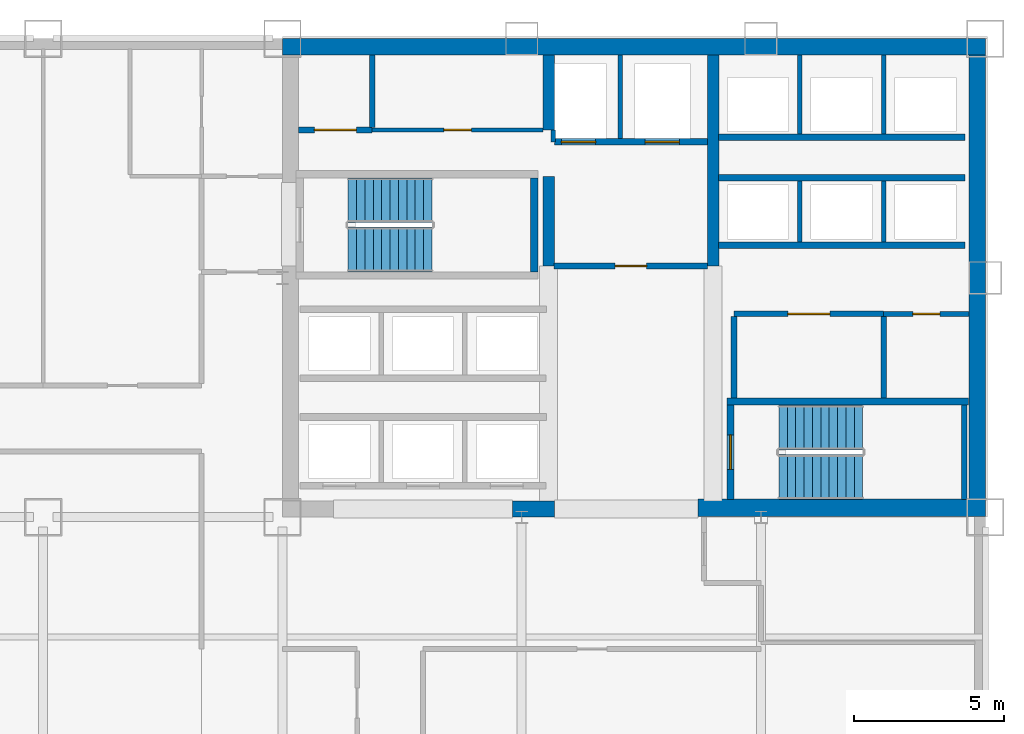
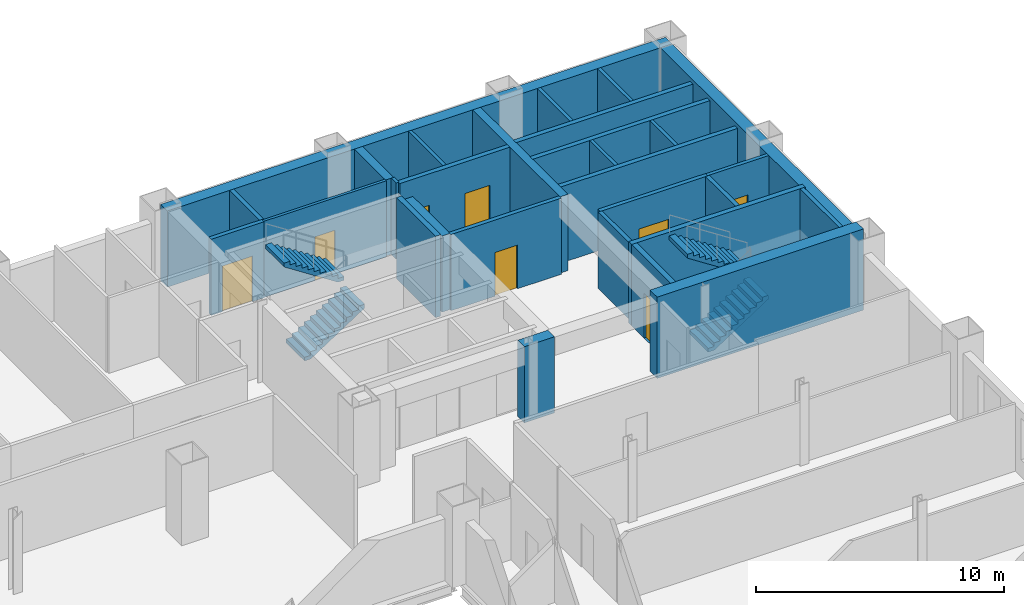
# One storey, part 7 of 9: 29 walls, 8 doors, 4 stair flights, 8 openings, 2 elements without a shape of their own.
"""IFC4 building model written with IfcOpenShell, lengths in metres."""

from ifc_helpers import new_model, si_unit, direction, frame, frame_2d, origin, place, context, subcontext, project, spatial, polyline, rectangle, outline, extrude, material, layer, layer_set, type_object, element, fill, aggregate, save


model = new_model("IFC4")

# Units and contexts
model_context = context("Model", 3, precision=1e-05, world=origin(), true_north=direction((0.0, 1.0)))
body_context = subcontext(model_context, "Body", "Model", "MODEL_VIEW")
ifc_project = project(units=[si_unit("LENGTHUNIT", "METRE"), si_unit("AREAUNIT", "SQUARE_METRE"), si_unit("VOLUMEUNIT", "CUBIC_METRE"), si_unit("PLANEANGLEUNIT", "RADIAN"), si_unit("MASSUNIT", "GRAM", prefix="KILO")], contexts=[model_context])

# Site, building, storey
site_placement = place(None, origin())
site = spatial("IfcSite", under=ifc_project, at=site_placement, CompositionType="ELEMENT")
building_placement = place(site_placement, origin())
building = spatial("IfcBuilding", under=site, at=building_placement, Name="Qianrong Seaharbour Tower", CompositionType="ELEMENT")
storey_placement = place(building_placement, frame((0.0, 0.0, 32.199951171875)))
storey = spatial("IfcBuildingStorey", under=building, at=storey_placement, Name="L07", CompositionType="ELEMENT", Elevation=32.199951171875)

# Walls
ifc_material_1 = material(Name="Concrete C70/85", Category="concrete")
ifc_layer_1 = layer(ifc_material_1, 0.5400390625)
ifc_layer_set_1 = layer_set([ifc_layer_1], Name="Concrete C70/85")
wall_type_1 = type_object("IfcWallType", Name="WALL-CORE-540", PredefinedType="SHEAR", material=ifc_layer_set_1)
wall_1_placement = place(storey_placement, frame((40.5, 51.72998046875, 0.0), z_axis=(0.0, 0.0, 1.0), x_axis=(1.0, 0.0, 0.0)))
element("IfcWall", 1, at=wall_1_placement, inside=storey, type_object=wall_type_1, Name="L07 North Core Shear Wall", PredefinedType="SHEAR", context=body_context, shape_type="SweptSolid", body=[
    extrude(rectangle(XDim=23.5, YDim=0.5400390625, at=frame_2d((11.75, 0.0))), origin(), (0.0, 0.0, 1.0), 3.75),
])
wall_2_placement = place(storey_placement, frame((63.72998046875, 36.320068359375, 0.0), z_axis=(0.0, 0.0, 1.0), x_axis=(0.0, 1.0, 0.0)))
element("IfcWall", 2, at=wall_2_placement, inside=storey, type_object=wall_type_1, Name="L07 East Core Shear Wall", PredefinedType="SHEAR", context=body_context, shape_type="SweptSolid", body=[
    extrude(rectangle(XDim=15.139892578125, YDim=0.5400390625, at=frame_2d((7.56982421875, 0.0))), origin(), (0.0, 0.0, 1.0), 3.75),
])
wall_3_placement = place(storey_placement, frame((48.199951171875, 36.27001953125, 0.0), z_axis=(0.0, 0.0, 1.0), x_axis=(1.0, 0.0, 0.0)))
element("IfcWall", 3, at=wall_3_placement, inside=storey, type_object=wall_type_1, Name="L07 South Core Shear Wall S2", PredefinedType="SHEAR", context=body_context, shape_type="SweptSolid", body=[
    extrude(rectangle(XDim=1.400146484375, YDim=0.5400390625, at=frame_2d((0.7001953125, 0.0))), origin(), (0.0, 0.0, 1.0), 3.75),
])
ifc_layer_2 = layer(ifc_material_1, 0.580078125)
ifc_layer_set_2 = layer_set([ifc_layer_2], Name="Concrete C70/85")
wall_type_2 = type_object("IfcWallType", Name="WALL-CORE-580", PredefinedType="SHEAR", material=ifc_layer_set_2)
wall_4_placement = place(storey_placement, frame((54.39990234375, 36.320068359375, 0.0), z_axis=(0.0, 0.0, 1.0), x_axis=(1.0, 0.0, 0.0)))
element("IfcWall", 4, at=wall_4_placement, inside=storey, type_object=wall_type_2, Name="L07 South Core Shear Wall S3", PredefinedType="SHEAR", context=body_context, shape_type="SweptSolid", body=[
    extrude(rectangle(XDim=9.60009765625, YDim=0.580078125, at=frame_2d((4.800048828125, 0.0))), origin(), (0.0, 0.0, 1.0), 4.0),
])
ifc_material_2 = material(Name="Concrete C60/75", Category="concrete")
ifc_layer_3 = layer(ifc_material_2, 0.3798828125)
ifc_layer_set_3 = layer_set([ifc_layer_3], Name="Concrete C60/75")
wall_type_3 = type_object("IfcWallType", Name="WALL-CORE-INT-380", PredefinedType="SHEAR", material=ifc_layer_set_3)
wall_5_placement = place(storey_placement, frame((49.39990234375, 44.39990234375, 0.0), z_axis=(0.0, 0.0, 1.0), x_axis=(0.0, 1.0, 0.0)))
element("IfcWall", 5, at=wall_5_placement, inside=storey, type_object=wall_type_3, Name="L07 Internal Core Shear Wall IW1N1", PredefinedType="SHEAR", context=body_context, shape_type="SweptSolid", body=[
    extrude(rectangle(XDim=3.0, YDim=0.3798828125, at=frame_2d((1.5, 0.0))), origin(), (0.0, 0.0, 1.0), 3.75),
])
wall_6_placement = place(storey_placement, frame((49.39990234375, 48.949951171875, 0.0), z_axis=(0.0, 0.0, 1.0), x_axis=(0.0, 1.0, 0.0)))
element("IfcWall", 6, at=wall_6_placement, inside=storey, type_object=wall_type_3, Name="L07 Internal Core Shear Wall IW1N2", PredefinedType="SHEAR", context=body_context, shape_type="SweptSolid", body=[
    extrude(rectangle(XDim=2.510009765625, YDim=0.3798828125, at=frame_2d((1.2548828125, 0.0))), origin(), (0.0, 0.0, 1.0), 3.75),
])
wall_7_placement = place(storey_placement, frame((54.89990234375, 44.39990234375, 0.0), z_axis=(0.0, 0.0, 1.0), x_axis=(0.0, 1.0, 0.0)))
element("IfcWall", 7, at=wall_7_placement, inside=storey, type_object=wall_type_3, Name="L07 Internal Core Shear Wall IW2N", PredefinedType="SHEAR", context=body_context, shape_type="SweptSolid", body=[
    extrude(rectangle(XDim=7.06005859375, YDim=0.3798828125, at=frame_2d((3.530029296875, 0.0))), origin(), (0.0, 0.0, 1.0), 3.75),
])

# Wall, opening, door
ifc_material_3 = material(Name="Fire-rated acoustic gypsum board partition")
ifc_layer_4 = layer(ifc_material_3, 0.1650390625)
ifc_layer_set_4 = layer_set([ifc_layer_4], Name="Fire-rated acoustic gypsum board partition")
wall_type_4 = type_object("IfcWallType", Name="WALL-CORR-PART-165", PredefinedType="PARTITIONING", material=ifc_layer_set_4)
wall_8_placement = place(storey_placement, frame((63.4599609375, 42.800048828125, 0.0), z_axis=(0.0, 0.0, 1.0), x_axis=(-1.0, 0.0, 0.0)))
wall_8 = element("IfcWall", 8, at=wall_8_placement, inside=storey, type_object=wall_type_4, Name="L07 Interior Partition Wall 012", PredefinedType="PARTITIONING", context=body_context, shape_type="SweptSolid", body=[
    extrude(rectangle(XDim=2.85986328125, YDim=0.1650390625, at=frame_2d((1.429931640625, 0.0))), origin(), (0.0, 0.0, 1.0), 3.75),
])
opening_1_placement = place(wall_8_placement, frame((0.97998046875, 0.0, 0.0)))
opening_1 = element("IfcOpeningElement", 9, at=opening_1_placement, cuts=wall_8, Name="Opening DS-01", PredefinedType="OPENING", context=body_context, shape_type="SweptSolid", body=[
    extrude(rectangle(XDim=0.89990234375, YDim=2.14990234375, at=frame_2d((0.449951171875, 1.074951171875))), frame((0.0, 0.092529296875, 0.0), z_axis=(0.0, -1.0, 0.0), x_axis=(1.0, 0.0, 0.0)), (0.0, 0.0, 1.0), 0.18505859375),
])
ifc_material_4 = material(Name="Acoustic timber and galvanized steel fire door assembly", Category="steel")
door_type_1 = type_object("IfcDoorType", Name="DOOR-STORE-900x2150", OperationType="NOTDEFINED", PredefinedType="DOOR", material=ifc_material_4)
door_1_placement = place(opening_1_placement, origin())
door_1 = element("IfcDoor", 10, at=door_1_placement, inside=storey, type_object=door_type_1, Name="L07 Housekeeping Linen Store Door", OperationType="SINGLE_SWING_RIGHT", OverallHeight=2.14990234375, OverallWidth=0.89990234375, PredefinedType="DOOR", context=body_context, shape_type="SweptSolid", body=[
    extrude(rectangle(XDim=0.89990234375, YDim=2.14990234375, at=frame_2d((0.449951171875, 1.074951171875))), frame((0.0, 0.02490234375, 0.0), z_axis=(0.0, -1.0, 0.0), x_axis=(1.0, 0.0, 0.0)), (0.0, 0.0, 1.0), 0.050048828125),
])
fill(opening_1, door_1)

ifc_material_5 = material(Name="Double fire-rated gypsum board acoustic partition")
ifc_layer_5 = layer(ifc_material_5, 0.18994140625)
ifc_layer_set_5 = layer_set([ifc_layer_5], Name="Double fire-rated gypsum board acoustic partition")
wall_type_5 = type_object("IfcWallType", Name="WALL-FIRE-PART-190", PredefinedType="PARTITIONING", material=ifc_layer_set_5)
wall_9_placement = place(storey_placement, frame((41.0400390625, 48.949951171875, 0.0), z_axis=(0.0, 0.0, 1.0), x_axis=(1.0, 0.0, 0.0)))
wall_9 = element("IfcWall", 11, at=wall_9_placement, inside=storey, type_object=wall_type_5, Name="L07 Interior Partition Wall 007", PredefinedType="PARTITIONING", context=body_context, shape_type="SweptSolid", body=[
    extrude(rectangle(XDim=2.4599609375, YDim=0.18994140625, at=frame_2d((1.22998046875, 0.0))), origin(), (0.0, 0.0, 1.0), 3.75),
])
opening_2_placement = place(wall_9_placement, frame((0.530029296875, 0.0, 0.0)))
opening_2 = element("IfcOpeningElement", 12, at=opening_2_placement, cuts=wall_9, Name="Opening DP-01", PredefinedType="OPENING", context=body_context, shape_type="SweptSolid", body=[
    extrude(rectangle(XDim=1.39990234375, YDim=2.25, at=frame_2d((0.699951171875, 1.125))), frame((0.0, 0.10498046875, 0.0), z_axis=(0.0, -1.0, 0.0), x_axis=(1.0, 0.0, 0.0)), (0.0, 0.0, 1.0), 0.2099609375),
])
door_type_2 = type_object("IfcDoorType", Name="DOOR-PLANT-PAIR-1400x2250", OperationType="DOUBLE_DOOR_SINGLE_SWING", PredefinedType="DOOR", material=ifc_material_4)
door_2_placement = place(opening_2_placement, origin())
door_2 = element("IfcDoor", 13, at=door_2_placement, inside=storey, type_object=door_type_2, Name="L07 Core Electrical Closet Door", OperationType="DOUBLE_DOOR_SINGLE_SWING", OverallHeight=2.25, OverallWidth=1.39990234375, PredefinedType="DOOR", context=body_context, shape_type="SweptSolid", body=[
    extrude(rectangle(XDim=1.39990234375, YDim=2.25, at=frame_2d((0.699951171875, 1.125))), frame((0.0, 0.02490234375, 0.0), z_axis=(0.0, -1.0, 0.0), x_axis=(1.0, 0.0, 0.0)), (0.0, 0.0, 1.0), 0.050048828125),
])
fill(opening_2, door_2)

wall_10_placement = place(storey_placement, frame((54.718017578125, 44.39990234375, 0.0), z_axis=(0.0, 0.0, 1.0), x_axis=(-1.0, 0.0, 0.0)))
wall_10 = element("IfcWall", 14, at=wall_10_placement, inside=storey, type_object=wall_type_5, Name="L07 Interior Partition Wall 009", PredefinedType="PARTITIONING", context=body_context, shape_type="SweptSolid", body=[
    extrude(rectangle(XDim=5.135986328125, YDim=0.18994140625, at=frame_2d((2.56787109375, 0.0))), origin(), (0.0, 0.0, 1.0), 3.75),
])
opening_3_placement = place(wall_10_placement, frame((2.04296875, 0.0, 0.0)))
opening_3 = element("IfcOpeningElement", 15, at=opening_3_placement, cuts=wall_10, Name="Opening DC-01", PredefinedType="OPENING", context=body_context, shape_type="SweptSolid", body=[
    extrude(rectangle(XDim=1.050048828125, YDim=2.14990234375, at=frame_2d((0.52490234375, 1.074951171875))), frame((0.0, 0.10498046875, 0.0), z_axis=(0.0, -1.0, 0.0), x_axis=(1.0, 0.0, 0.0)), (0.0, 0.0, 1.0), 0.2099609375),
])
door_type_3 = type_object("IfcDoorType", Name="DOOR-CORR-FD60-1050x2150", OperationType="NOTDEFINED", PredefinedType="DOOR", material=ifc_material_4)
door_3_placement = place(opening_3_placement, origin())
door_3 = element("IfcDoor", 16, at=door_3_placement, inside=storey, type_object=door_type_3, Name="L07 Firefighting Lift Lobby Door", OperationType="SINGLE_SWING_RIGHT", OverallHeight=2.14990234375, OverallWidth=1.050048828125, PredefinedType="DOOR", context=body_context, shape_type="SweptSolid", body=[
    extrude(rectangle(XDim=1.050048828125, YDim=2.14990234375, at=frame_2d((0.52490234375, 1.074951171875))), frame((0.0, 0.02490234375, 0.0), z_axis=(0.0, -1.0, 0.0), x_axis=(1.0, 0.0, 0.0)), (0.0, 0.0, 1.0), 0.050048828125),
])
fill(opening_3, door_3)

# Wall
wall_11_placement = place(storey_placement, frame((55.60009765625, 42.712890625, 0.0), z_axis=(0.0, 0.0, 1.0), x_axis=(0.0, -1.0, 0.0)))
element("IfcWall", 17, at=wall_11_placement, inside=storey, type_object=wall_type_5, Name="L07 Interior Partition Wall 010", PredefinedType="PARTITIONING", context=body_context, shape_type="SweptSolid", body=[
    extrude(rectangle(XDim=2.73095703125, YDim=0.18994140625, at=frame_2d((1.365478515625, 0.0))), origin(), (0.0, 0.0, 1.0), 3.75),
])

# Wall, opening, door
wall_12_placement = place(storey_placement, frame((60.60009765625, 42.800048828125, 0.0), z_axis=(0.0, 0.0, 1.0), x_axis=(-1.0, 0.0, 0.0)))
wall_12 = element("IfcWall", 18, at=wall_12_placement, inside=storey, type_object=wall_type_5, Name="L07 Interior Partition Wall 011", PredefinedType="PARTITIONING", context=body_context, shape_type="SweptSolid", body=[
    extrude(rectangle(XDim=5.0, YDim=0.18994140625, at=frame_2d((2.5, 0.0))), origin(), (0.0, 0.0, 1.0), 3.75),
])
opening_4_placement = place(wall_12_placement, frame((1.800048828125, 0.0, 0.0)))
opening_4 = element("IfcOpeningElement", 19, at=opening_4_placement, cuts=wall_12, Name="Opening DP-01", PredefinedType="OPENING", context=body_context, shape_type="SweptSolid", body=[
    extrude(rectangle(XDim=1.39990234375, YDim=2.25, at=frame_2d((0.699951171875, 1.125))), frame((0.0, 0.10498046875, 0.0), z_axis=(0.0, -1.0, 0.0), x_axis=(1.0, 0.0, 0.0)), (0.0, 0.0, 1.0), 0.2099609375),
])
door_4_placement = place(opening_4_placement, origin())
door_4 = element("IfcDoor", 20, at=door_4_placement, inside=storey, type_object=door_type_2, Name="L07 Submetering Switch Room Door", OperationType="DOUBLE_DOOR_SINGLE_SWING", OverallHeight=2.25, OverallWidth=1.39990234375, PredefinedType="DOOR", context=body_context, shape_type="SweptSolid", body=[
    extrude(rectangle(XDim=1.39990234375, YDim=2.25, at=frame_2d((0.699951171875, 1.125))), frame((0.0, 0.02490234375, 0.0), z_axis=(0.0, -1.0, 0.0), x_axis=(1.0, 0.0, 0.0)), (0.0, 0.0, 1.0), 0.050048828125),
])
fill(opening_4, door_4)

# Walls
wall_13_placement = place(storey_placement, frame((43.5, 51.4599609375, 0.0), z_axis=(0.0, 0.0, 1.0), x_axis=(0.0, -1.0, 0.0)))
element("IfcWall", 21, at=wall_13_placement, inside=storey, type_object=wall_type_5, Name="L07 Interior Partition Wall 013", PredefinedType="PARTITIONING", context=body_context, shape_type="SweptSolid", body=[
    extrude(rectangle(XDim=2.4228515625, YDim=0.18994140625, at=frame_2d((1.21142578125, 0.0))), origin(), (0.0, 0.0, 1.0), 3.75),
])
wall_14_placement = place(storey_placement, frame((60.60009765625, 42.712890625, 0.0), z_axis=(0.0, 0.0, 1.0), x_axis=(0.0, -1.0, 0.0)))
element("IfcWall", 22, at=wall_14_placement, inside=storey, type_object=wall_type_5, Name="L07 Interior Partition Wall 014", PredefinedType="PARTITIONING", context=body_context, shape_type="SweptSolid", body=[
    extrude(rectangle(XDim=2.73095703125, YDim=0.18994140625, at=frame_2d((1.365478515625, 0.0))), origin(), (0.0, 0.0, 1.0), 3.75),
])
ifc_material_6 = material(Name="Fire-rated gypsum board on steel studs", Category="steel")
ifc_layer_6 = layer(ifc_material_6, 0.14990234375)
ifc_layer_set_6 = layer_set([ifc_layer_6], Name="Fire-rated gypsum board on steel studs")
wall_type_6 = type_object("IfcWallType", Name="WALL-SHAFT-DIV-150", PredefinedType="PARTITIONING", material=ifc_layer_set_6)
wall_15_placement = place(storey_placement, frame((51.800048828125, 48.669921875, 0.0), z_axis=(0.0, 0.0, 1.0), x_axis=(0.0, 1.0, 0.0)))
element("IfcWall", 23, at=wall_15_placement, inside=storey, type_object=wall_type_6, Name="L07 Firefighting Lift Shaft Divider Wall", PredefinedType="PARTITIONING", context=body_context, shape_type="SweptSolid", body=[
    extrude(rectangle(XDim=2.7900390625, YDim=0.14990234375, at=frame_2d((1.39501953125, 0.0))), origin(), (0.0, 0.0, 1.0), 3.75),
])
wall_16_placement = place(storey_placement, frame((49.550048828125, 48.550048828125, 0.0), z_axis=(0.0, 0.0, 1.0), x_axis=(0.0, 1.0, 0.0)))
element("IfcWall", 24, at=wall_16_placement, inside=storey, type_object=wall_type_6, Name="L07 Firefighting Lift Shaft West Return Wall", PredefinedType="PARTITIONING", context=body_context, shape_type="SweptSolid", body=[
    extrude(rectangle(XDim=0.39990234375, YDim=0.14990234375, at=frame_2d((0.199951171875, 0.0))), origin(), (0.0, 0.0, 1.0), 3.75),
])
for number, where, z_axis, x_axis, name in (
    (25, (57.800048828125, 45.2099609375, 0.0), (0.0, 0.0, 1.0), (0.0, 1.0, 0.0), "L07 P3 Lift Hoistway Divider 2"),
    (26, (60.60009765625, 45.2099609375, 0.0), (0.0, 0.0, 1.0), (0.0, 1.0, 0.0), "L07 P3 Lift Hoistway Divider 3"),
):
    element("IfcWall", number, at=place(storey_placement, frame(where, z_axis=z_axis, x_axis=x_axis)), inside=storey, type_object=wall_type_6, Name=name, PredefinedType="PARTITIONING", context=body_context, shape_type="SweptSolid", body=[
        extrude(rectangle(XDim=2.030029296875, YDim=0.14990234375, at=frame_2d((1.01513671875, 0.0))), origin(), (0.0, 0.0, 1.0), 3.75),
    ])
for number, where, z_axis, x_axis, name in (
    (27, (57.800048828125, 48.81005859375, 0.0), (0.0, 0.0, 1.0), (0.0, 1.0, 0.0), "L07 P4 Lift Hoistway Divider 2"),
    (28, (60.60009765625, 48.81005859375, 0.0), (0.0, 0.0, 1.0), (0.0, 1.0, 0.0), "L07 P4 Lift Hoistway Divider 3"),
):
    element("IfcWall", number, at=place(storey_placement, frame(where, z_axis=z_axis, x_axis=x_axis)), inside=storey, type_object=wall_type_6, Name=name, PredefinedType="PARTITIONING", context=body_context, shape_type="SweptSolid", body=[
        extrude(rectangle(XDim=2.64990234375, YDim=0.14990234375, at=frame_2d((1.324951171875, 0.0))), origin(), (0.0, 0.0, 1.0), 3.75),
    ])

# Wall, openings, doors
ifc_layer_7 = layer(ifc_material_6, 0.219970703125)
ifc_layer_set_7 = layer_set([ifc_layer_7], Name="Fire-rated gypsum board on steel studs")
wall_type_7 = type_object("IfcWallType", Name="WALL-SHAFT-GYP220", PredefinedType="PARTITIONING", material=ifc_layer_set_7)
wall_17_placement = place(storey_placement, frame((54.7099609375, 48.550048828125, 0.0), z_axis=(0.0, 0.0, 1.0), x_axis=(-1.0, 0.0, 0.0)))
wall_17 = element("IfcWall", 29, at=wall_17_placement, inside=storey, type_object=wall_type_7, Name="L07 Firefighting Lift Shaft Front Wall", PredefinedType="PARTITIONING", context=body_context, shape_type="SweptSolid", body=[
    extrude(rectangle(XDim=5.119873046875, YDim=0.219970703125, at=frame_2d((2.56005859375, 0.0))), origin(), (0.0, 0.0, 1.0), 3.75),
])
opening_5_placement = place(wall_17_placement, frame((3.735107421875, 0.0, 0.0)))
opening_5 = element("IfcOpeningElement", 30, at=opening_5_placement, cuts=wall_17, Name="Opening LD-01", PredefinedType="OPENING", context=body_context, shape_type="SweptSolid", body=[
    extrude(rectangle(XDim=1.14990234375, YDim=2.199951171875, at=frame_2d((0.574951171875, 1.10009765625))), frame((0.0, 0.1201171875, 0.0), z_axis=(0.0, -1.0, 0.0), x_axis=(1.0, 0.0, 0.0)), (0.0, 0.0, 1.0), 0.239990234375),
])
opening_6_placement = place(wall_17_placement, frame((0.93505859375, 0.0, 0.0)))
opening_6 = element("IfcOpeningElement", 31, at=opening_6_placement, cuts=wall_17, Name="Opening LD-01", PredefinedType="OPENING", context=body_context, shape_type="SweptSolid", body=[
    extrude(rectangle(XDim=1.14990234375, YDim=2.199951171875, at=frame_2d((0.574951171875, 1.10009765625))), frame((0.0, 0.1201171875, 0.0), z_axis=(0.0, -1.0, 0.0), x_axis=(1.0, 0.0, 0.0)), (0.0, 0.0, 1.0), 0.239990234375),
])
ifc_material_7 = material(Name="Stainless steel SUS316L bi-parting lift landing door", Category="steel")
door_type_4 = type_object("IfcDoorType", Name="DOOR-LIFT-FF-1150x2200", OperationType="DOUBLE_DOOR_SLIDING", PredefinedType="DOOR", material=ifc_material_7)
door_5_placement = place(opening_5_placement, origin())
door_5 = element("IfcDoor", 32, at=door_5_placement, inside=storey, type_object=door_type_4, Name="L07 FL-1 Firefighting Lift Landing Door", OperationType="DOUBLE_DOOR_SLIDING", OverallHeight=2.199951171875, OverallWidth=1.14990234375, PredefinedType="DOOR", context=body_context, shape_type="SweptSolid", body=[
    extrude(rectangle(XDim=1.14990234375, YDim=2.199951171875, at=frame_2d((0.574951171875, 1.10009765625))), frame((0.0, 0.02490234375, 0.0), z_axis=(0.0, -1.0, 0.0), x_axis=(1.0, 0.0, 0.0)), (0.0, 0.0, 1.0), 0.050048828125),
])
fill(opening_5, door_5)
door_6_placement = place(opening_6_placement, origin())
door_6 = element("IfcDoor", 33, at=door_6_placement, inside=storey, type_object=door_type_4, Name="L07 FL-2 Firefighting Lift Landing Door", OperationType="DOUBLE_DOOR_SLIDING", OverallHeight=2.199951171875, OverallWidth=1.14990234375, PredefinedType="DOOR", context=body_context, shape_type="SweptSolid", body=[
    extrude(rectangle(XDim=1.14990234375, YDim=2.199951171875, at=frame_2d((0.574951171875, 1.10009765625))), frame((0.0, 0.02490234375, 0.0), z_axis=(0.0, -1.0, 0.0), x_axis=(1.0, 0.0, 0.0)), (0.0, 0.0, 1.0), 0.050048828125),
])
fill(opening_6, door_6)

# Walls
for number, where, z_axis, x_axis, name in (
    (34, (63.320068359375, 45.10009765625, 0.0), (0.0, 0.0, 1.0), (-1.0, 0.0, 0.0), "L07 P3 Lift Hoistway Front Wall"),
    (35, (55.080078125, 47.35009765625, 0.0), (0.0, 0.0, 1.0), (1.0, 0.0, 0.0), "L07 P3 Lift Hoistway Back Wall"),
    (36, (63.320068359375, 48.699951171875, 0.0), (0.0, 0.0, 1.0), (-1.0, 0.0, 0.0), "L07 P4 Lift Hoistway Front Wall"),
):
    element("IfcWall", number, at=place(storey_placement, frame(where, z_axis=z_axis, x_axis=x_axis)), inside=storey, type_object=wall_type_7, Name=name, PredefinedType="PARTITIONING", context=body_context, shape_type="SweptSolid", body=[
        extrude(rectangle(XDim=8.239990234375, YDim=0.219970703125, at=frame_2d((4.1201171875, 0.0))), origin(), (0.0, 0.0, 1.0), 3.75),
    ])
ifc_material_8 = material(Name="Concrete C50/60", Category="concrete")
ifc_layer_8 = layer(ifc_material_8, 0.239990234375)
ifc_layer_set_8 = layer_set([ifc_layer_8], Name="Concrete C50/60")
wall_type_8 = type_object("IfcWallType", Name="WALL-SHAFT-RC240", PredefinedType="SOLIDWALL", material=ifc_layer_set_8)
wall_18_placement = place(storey_placement, frame((48.919921875, 44.199951171875, 0.0), z_axis=(0.0, 0.0, 1.0), x_axis=(0.0, 1.0, 0.0)))
element("IfcWall", 37, at=wall_18_placement, inside=storey, type_object=wall_type_8, Name="L07 ST-1 Structural Stair Core Wall E", PredefinedType="SOLIDWALL", context=body_context, shape_type="SweptSolid", body=[
    extrude(rectangle(XDim=3.150146484375, YDim=0.239990234375, at=frame_2d((1.5751953125, 0.0))), origin(), (0.0, 0.0, 1.0), 4.0),
])
wall_19_placement = place(storey_placement, frame((55.360107421875, 39.8701171875, 0.0), z_axis=(0.0, 0.0, 1.0), x_axis=(1.0, 0.0, 0.0)))
element("IfcWall", 38, at=wall_19_placement, inside=storey, type_object=wall_type_8, Name="L07 ST-2 Structural Stair Core Wall N", PredefinedType="SOLIDWALL", context=body_context, shape_type="SweptSolid", body=[
    extrude(rectangle(XDim=8.079833984375, YDim=0.239990234375, at=frame_2d((4.0400390625, 0.0))), origin(), (0.0, 0.0, 1.0), 4.0),
])

# Wall, opening, door
wall_20_placement = place(storey_placement, frame((55.47998046875, 39.75, 0.0), z_axis=(0.0, 0.0, 1.0), x_axis=(0.0, -1.0, 0.0)))
wall_20 = element("IfcWall", 39, at=wall_20_placement, inside=storey, type_object=wall_type_8, Name="L07 ST-2 Structural Stair Core Wall W", PredefinedType="SOLIDWALL", context=body_context, shape_type="SweptSolid", body=[
    extrude(rectangle(XDim=3.14990234375, YDim=0.239990234375, at=frame_2d((1.574951171875, 0.0))), origin(), (0.0, 0.0, 1.0), 4.0),
])
opening_7_placement = place(wall_20_placement, frame((1.0, 0.0, 0.0)))
opening_7 = element("IfcOpeningElement", 40, at=opening_7_placement, cuts=wall_20, Name="Opening SD-01", PredefinedType="OPENING", context=body_context, shape_type="SweptSolid", body=[
    extrude(rectangle(XDim=1.14990234375, YDim=2.199951171875, at=frame_2d((0.574951171875, 1.10009765625))), frame((0.0, 0.1298828125, 0.0), z_axis=(0.0, -1.0, 0.0), x_axis=(1.0, 0.0, 0.0)), (0.0, 0.0, 1.0), 0.260009765625),
])
door_type_5 = type_object("IfcDoorType", Name="DOOR-STAIR-FD60-1150x2200", OperationType="NOTDEFINED", PredefinedType="DOOR", material=ifc_material_4)
door_7_placement = place(opening_7_placement, origin())
door_7 = element("IfcDoor", 41, at=door_7_placement, inside=storey, type_object=door_type_5, Name="L07 ST-2 Protected Stair Door", OperationType="SINGLE_SWING_RIGHT", OverallHeight=2.199951171875, OverallWidth=1.14990234375, PredefinedType="DOOR", context=body_context, shape_type="SweptSolid", body=[
    extrude(rectangle(XDim=1.14990234375, YDim=2.199951171875, at=frame_2d((0.574951171875, 1.10009765625))), frame((0.0, 0.02490234375, 0.0), z_axis=(0.0, -1.0, 0.0), x_axis=(1.0, 0.0, 0.0)), (0.0, 0.0, 1.0), 0.050048828125),
])
fill(opening_7, door_7)

# Wall
wall_21_placement = place(storey_placement, frame((63.2900390625, 36.60009765625, 0.0), z_axis=(0.0, 0.0, 1.0), x_axis=(0.0, 1.0, 0.0)))
element("IfcWall", 42, at=wall_21_placement, inside=storey, type_object=wall_type_8, Name="L07 ST-2 Structural Stair Core Wall E", PredefinedType="SOLIDWALL", context=body_context, shape_type="SweptSolid", body=[
    extrude(rectangle(XDim=3.14990234375, YDim=0.179931640625, at=frame_2d((1.574951171875, 0.0))), origin(), (0.0, 0.0, 1.0), 4.0),
])

# Wall, opening, door
ifc_material_9 = material(Name="Water-resistant cement board sanitary partition")
ifc_layer_9 = layer(ifc_material_9, 0.1298828125)
ifc_layer_set_9 = layer_set([ifc_layer_9], Name="Water-resistant cement board sanitary partition")
wall_type_9 = type_object("IfcWallType", Name="WALL-WET-PART-130", PredefinedType="PARTITIONING", material=ifc_layer_set_9)
wall_22_placement = place(storey_placement, frame((43.5, 48.949951171875, 0.0), z_axis=(0.0, 0.0, 1.0), x_axis=(1.0, 0.0, 0.0)))
wall_22 = element("IfcWall", 43, at=wall_22_placement, inside=storey, type_object=wall_type_9, Name="L07 Interior Partition Wall 008", PredefinedType="PARTITIONING", context=body_context, shape_type="SweptSolid", body=[
    extrude(rectangle(XDim=5.718017578125, YDim=0.1298828125, at=frame_2d((2.85888671875, 0.0))), origin(), (0.0, 0.0, 1.0), 3.75),
])
opening_8_placement = place(wall_22_placement, frame((2.39892578125, 0.0, 0.0)))
opening_8 = element("IfcOpeningElement", 44, at=opening_8_placement, cuts=wall_22, Name="Opening DW-01", PredefinedType="OPENING", context=body_context, shape_type="SweptSolid", body=[
    extrude(rectangle(XDim=0.919921875, YDim=2.14990234375, at=frame_2d((0.4599609375, 1.074951171875))), frame((0.0, 0.074951171875, 0.0), z_axis=(0.0, -1.0, 0.0), x_axis=(1.0, 0.0, 0.0)), (0.0, 0.0, 1.0), 0.14990234375),
])
door_type_6 = type_object("IfcDoorType", Name="DOOR-WC-920x2150", OperationType="NOTDEFINED", PredefinedType="DOOR", material=ifc_material_4)
door_8_placement = place(opening_8_placement, origin())
door_8 = element("IfcDoor", 45, at=door_8_placement, inside=storey, type_object=door_type_6, Name="L07 Staff Restroom WC Door", OperationType="SINGLE_SWING_LEFT", OverallHeight=2.14990234375, OverallWidth=0.919921875, PredefinedType="DOOR", context=body_context, shape_type="SweptSolid", body=[
    extrude(rectangle(XDim=0.919921875, YDim=2.14990234375, at=frame_2d((0.4599609375, 1.074951171875))), frame((0.0, 0.02490234375, 0.0), z_axis=(0.0, -1.0, 0.0), x_axis=(1.0, 0.0, 0.0)), (0.0, 0.0, 1.0), 0.050048828125),
])
fill(opening_8, door_8)

# Stair, stair flights
stair_type = type_object("IfcStairType", Name="STAIR-DOGLEG-1500-R22", PredefinedType="HALF_TURN_STAIR", material=ifc_material_8)
stair_1_placement = place(storey_placement, origin())
stair_1 = element("IfcStair", 46, at=stair_1_placement, inside=storey, type_object=stair_type, Name="L07 Protected Escape Stair ST-1", PredefinedType="HALF_TURN_STAIR")
stair_flight_type = type_object("IfcStairFlightType", Name="FLIGHT-STR-1500-R22", PredefinedType="STRAIGHT", material=ifc_material_8)
stair_flight_1_placement = place(storey_placement, frame((42.699951171875, 44.949951171875, 0.0), z_axis=(0.0, 0.0, 1.0), x_axis=(1.0, 0.0, 0.0)))
stair_flight_1 = element("IfcStairFlight", 47, at=stair_flight_1_placement, type_object=stair_flight_type, Name="ST-1 flight 1", NumberOfRisers=11, NumberOfTreads=10, PredefinedType="STRAIGHT", RiserHeight=0.181818182, TreadLength=0.28, context=body_context, shape_type="SweptSolid", body=[
    extrude(outline(polyline([(0.0, 0.0), (0.0, 0.181884765625), (0.280029296875, 0.181884765625), (0.280029296875, 0.363525390625), (0.56005859375, 0.363525390625), (0.56005859375, 0.54541015625), (0.840087890625, 0.54541015625), (0.840087890625, 0.727294921875), (1.1201171875, 0.727294921875), (1.1201171875, 0.9091796875), (1.39990234375, 0.9091796875), (1.39990234375, 1.0908203125), (1.679931640625, 1.0908203125), (1.679931640625, 1.272705078125), (1.9599609375, 1.272705078125), (1.9599609375, 1.45458984375), (2.239990234375, 1.45458984375), (2.239990234375, 1.636474609375), (2.52001953125, 1.636474609375), (2.52001953125, 1.818115234375), (2.800048828125, 1.818115234375), (2.800048828125, 2.0), (2.800048828125, 1.62744140625), (0.293701171875, 0.0), (0.0, 0.0)])), frame((0.0, 0.75, 0.0), z_axis=(0.0, -1.0, 0.0), x_axis=(1.0, 0.0, 0.0)), (0.0, 0.0, 1.0), 1.5),
])
stair_flight_2_placement = place(storey_placement, frame((45.5, 46.60009765625, 2.0), z_axis=(0.0, 0.0, 1.0), x_axis=(-1.0, 0.0, 0.0)))
stair_flight_2 = element("IfcStairFlight", 48, at=stair_flight_2_placement, type_object=stair_flight_type, Name="ST-1 flight 2", NumberOfRisers=11, NumberOfTreads=10, PredefinedType="STRAIGHT", RiserHeight=0.181818182, TreadLength=0.28, context=body_context, shape_type="SweptSolid", body=[
    extrude(outline(polyline([(0.0, 0.0), (0.0, 0.181884765625), (0.280029296875, 0.181884765625), (0.280029296875, 0.363525390625), (0.56005859375, 0.363525390625), (0.56005859375, 0.54541015625), (0.840087890625, 0.54541015625), (0.840087890625, 0.727294921875), (1.1201171875, 0.727294921875), (1.1201171875, 0.9091796875), (1.39990234375, 0.9091796875), (1.39990234375, 1.0908203125), (1.679931640625, 1.0908203125), (1.679931640625, 1.272705078125), (1.9599609375, 1.272705078125), (1.9599609375, 1.45458984375), (2.239990234375, 1.45458984375), (2.239990234375, 1.636474609375), (2.52001953125, 1.636474609375), (2.52001953125, 1.818115234375), (2.800048828125, 1.818115234375), (2.800048828125, 2.0), (2.800048828125, 1.62744140625), (0.293701171875, 0.0), (0.0, 0.0)])), frame((0.0, 0.75, 0.0), z_axis=(0.0, -1.0, 0.0), x_axis=(1.0, 0.0, 0.0)), (0.0, 0.0, 1.0), 1.5),
])
aggregate(stair_1, [stair_flight_1, stair_flight_2])

stair_2_placement = place(storey_placement, origin())
stair_2 = element("IfcStair", 49, at=stair_2_placement, inside=storey, type_object=stair_type, Name="L07 Protected Escape Stair ST-2", PredefinedType="HALF_TURN_STAIR")
stair_flight_3_placement = place(storey_placement, frame((57.10009765625, 37.35009765625, 0.0), z_axis=(0.0, 0.0, 1.0), x_axis=(1.0, 0.0, 0.0)))
stair_flight_3 = element("IfcStairFlight", 50, at=stair_flight_3_placement, type_object=stair_flight_type, Name="ST-2 flight 1", NumberOfRisers=11, NumberOfTreads=10, PredefinedType="STRAIGHT", RiserHeight=0.181818182, TreadLength=0.28, context=body_context, shape_type="SweptSolid", body=[
    extrude(outline(polyline([(0.0, 0.0), (0.0, 0.181884765625), (0.280029296875, 0.181884765625), (0.280029296875, 0.363525390625), (0.56005859375, 0.363525390625), (0.56005859375, 0.54541015625), (0.840087890625, 0.54541015625), (0.840087890625, 0.727294921875), (1.1201171875, 0.727294921875), (1.1201171875, 0.9091796875), (1.39990234375, 0.9091796875), (1.39990234375, 1.0908203125), (1.679931640625, 1.0908203125), (1.679931640625, 1.272705078125), (1.9599609375, 1.272705078125), (1.9599609375, 1.45458984375), (2.239990234375, 1.45458984375), (2.239990234375, 1.636474609375), (2.52001953125, 1.636474609375), (2.52001953125, 1.818115234375), (2.800048828125, 1.818115234375), (2.800048828125, 2.0), (2.800048828125, 1.62744140625), (0.293701171875, 0.0), (0.0, 0.0)])), frame((0.0, 0.75, 0.0), z_axis=(0.0, -1.0, 0.0), x_axis=(1.0, 0.0, 0.0)), (0.0, 0.0, 1.0), 1.5),
])
stair_flight_4_placement = place(storey_placement, frame((59.89990234375, 39.0, 2.0), z_axis=(0.0, 0.0, 1.0), x_axis=(-1.0, 0.0, 0.0)))
stair_flight_4 = element("IfcStairFlight", 51, at=stair_flight_4_placement, type_object=stair_flight_type, Name="ST-2 flight 2", NumberOfRisers=11, NumberOfTreads=10, PredefinedType="STRAIGHT", RiserHeight=0.181818182, TreadLength=0.28, context=body_context, shape_type="SweptSolid", body=[
    extrude(outline(polyline([(0.0, 0.0), (0.0, 0.181884765625), (0.280029296875, 0.181884765625), (0.280029296875, 0.363525390625), (0.56005859375, 0.363525390625), (0.56005859375, 0.54541015625), (0.840087890625, 0.54541015625), (0.840087890625, 0.727294921875), (1.1201171875, 0.727294921875), (1.1201171875, 0.9091796875), (1.39990234375, 0.9091796875), (1.39990234375, 1.0908203125), (1.679931640625, 1.0908203125), (1.679931640625, 1.272705078125), (1.9599609375, 1.272705078125), (1.9599609375, 1.45458984375), (2.239990234375, 1.45458984375), (2.239990234375, 1.636474609375), (2.52001953125, 1.636474609375), (2.52001953125, 1.818115234375), (2.800048828125, 1.818115234375), (2.800048828125, 2.0), (2.800048828125, 1.62744140625), (0.293701171875, 0.0), (0.0, 0.0)])), frame((0.0, 0.75, 0.0), z_axis=(0.0, -1.0, 0.0), x_axis=(1.0, 0.0, 0.0)), (0.0, 0.0, 1.0), 1.5),
])
aggregate(stair_2, [stair_flight_3, stair_flight_4])

save(model, "model.ifc")
